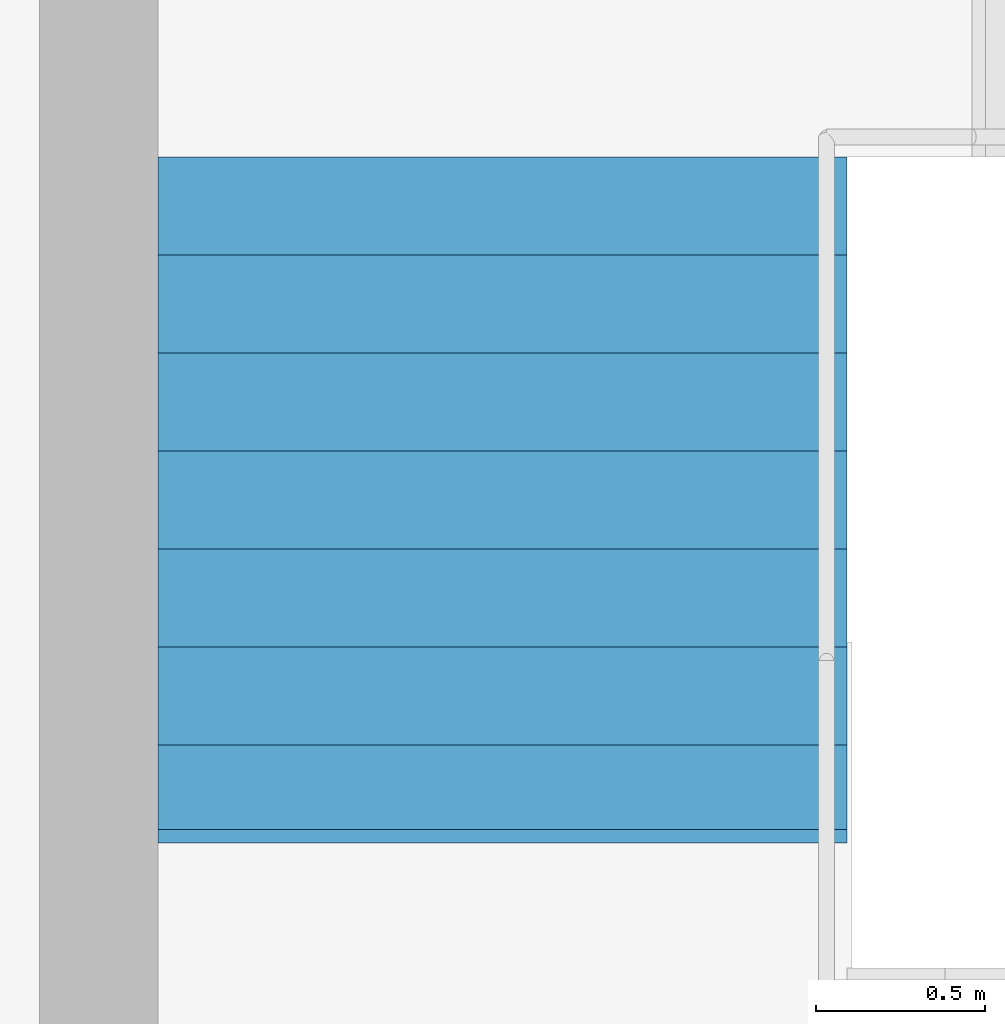
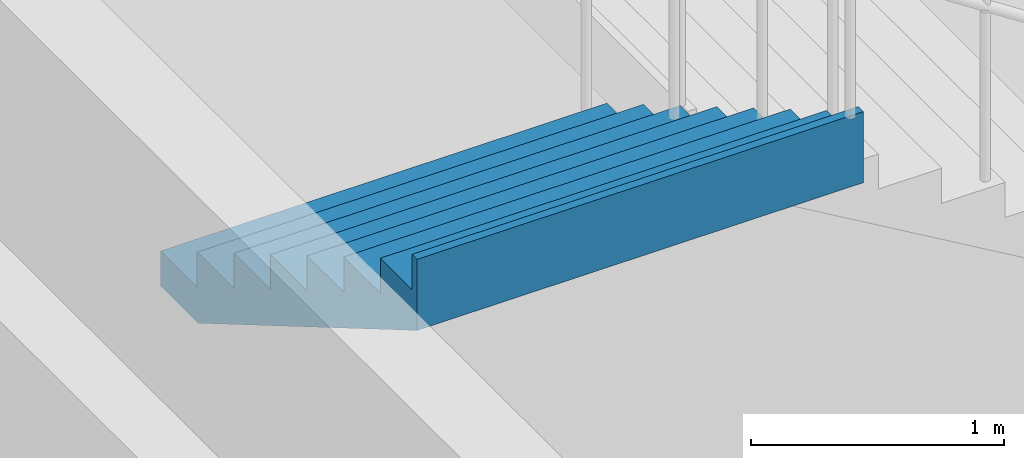
# One storey, part 26 of 50: 1 stair flight, 1 element without a shape of its own.
"""IFC4 building model written with IfcOpenShell, lengths in metres."""

from ifc_helpers import new_model, si_unit, direction, frame, origin, place, context, subcontext, project, spatial, triangles, material, type_object, element, aggregate, save


model = new_model("IFC4")

# Units and contexts
model_context = context("Model", 3, precision=1e-05, world=origin(), true_north=direction((0.0, 1.0)))
body_context = subcontext(model_context, "Body", "Model", "MODEL_VIEW")
ifc_project = project(units=[si_unit("LENGTHUNIT", "METRE"), si_unit("AREAUNIT", "SQUARE_METRE"), si_unit("VOLUMEUNIT", "CUBIC_METRE"), si_unit("PLANEANGLEUNIT", "RADIAN"), si_unit("MASSUNIT", "GRAM", prefix="KILO")], contexts=[model_context])

# Site, building, storey
site_placement = place(None, origin())
site = spatial("IfcSite", under=ifc_project, at=site_placement, CompositionType="ELEMENT")
building_placement = place(site_placement, origin())
building = spatial("IfcBuilding", under=site, at=building_placement, Name="Sillaruma Civic Art Gallery", CompositionType="ELEMENT")
storey_placement = place(building_placement, origin())
storey = spatial("IfcBuildingStorey", under=building, at=storey_placement, Name="L00", CompositionType="ELEMENT", Elevation=0.0)

# Stair, stair flight
ifc_material = material(Name="Concrete H35 (35 MPa)", Category="concrete")
stair_type = type_object("IfcStairType", Name="STR-4F-32", PredefinedType="USERDEFINED", material=ifc_material)
stair_placement = place(storey_placement, origin())
stair = element("IfcStair", 1, at=stair_placement, inside=storey, type_object=stair_type, Name="Protected Exit Stair ST-03 (West Bar South) (L00)", ObjectType="THREE_RETURN_STAIR", PredefinedType="USERDEFINED")
stair_flight_type = type_object("IfcStairFlightType", Name="SFL-STR-8", PredefinedType="STRAIGHT", material=ifc_material)
stair_flight_placement = place(storey_placement, frame((63.780029296875, 35.85009765625, 4.080078125), z_axis=(0.0, 0.0, 1.0), x_axis=(0.0, -1.0, 0.0)))
stair_flight = element("IfcStairFlight", 2, at=stair_flight_placement, type_object=stair_flight_type, Name="ST-03 flight 4", NumberOfRisers=8, NumberOfTreads=7, PredefinedType="STRAIGHT", RiserHeight=0.17, TreadLength=0.29, context=body_context, shape_type="Tessellation", body=[
    triangles([(0.0, -1.02001953125, 0.0), (0.29, -1.02001953125, 0.0), (0.296443, -1.02001953125, 0.0), (0.58, -1.02001953125, 0.166223), (0.87, -1.02001953125, 0.336223), (1.16, -1.02001953125, 0.506223), (1.45, -1.02001953125, 0.676223), (1.74, -1.02001953125, 0.846223), (1.990029, -1.02001953125, 0.992792), (2.030029, -1.02001953125, 1.01624), (2.030029, -1.02001953125, 1.36), (1.990029, -1.02001953125, 1.36), (1.990029, -1.02001953125, 1.19), (1.74, -1.02001953125, 1.19), (1.74, -1.02001953125, 1.02), (1.45, -1.02001953125, 1.02), (1.45, -1.02001953125, 0.85), (1.16, -1.02001953125, 0.85), (1.16, -1.02001953125, 0.68), (0.87, -1.02001953125, 0.68), (0.87, -1.02001953125, 0.51), (0.58, -1.02001953125, 0.51), (0.58, -1.02001953125, 0.34), (0.296443, -1.02001953125, 0.34), (0.29, -1.02001953125, 0.34), (0.29, -1.02001953125, 0.17), (0.0, -1.02001953125, 0.17), (0.0, -0.05, 0.0), (0.29, -0.05, 0.0), (0.296443, -0.05, 0.0), (0.58, -0.05, 0.166223), (0.87, -0.05, 0.336223), (1.16, -0.05, 0.506223), (1.45, -0.05, 0.676223), (1.74, -0.05, 0.846223), (1.990029, -0.05, 0.992792), (2.030029, -0.05, 1.01624), (2.030029, -0.05, 1.36), (1.990029, -0.05, 1.36), (1.990029, -0.05, 1.19), (1.74, -0.05, 1.19), (1.74, -0.05, 1.02), (1.45, -0.05, 1.02), (1.45, -0.05, 0.85), (1.16, -0.05, 0.85), (1.16, -0.05, 0.68), (0.87, -0.05, 0.68), (0.87, -0.05, 0.51), (0.58, -0.05, 0.51), (0.58, -0.05, 0.34), (0.296443, -0.05, 0.34), (0.29, -0.05, 0.34), (0.29, -0.05, 0.17), (0.0, -0.05, 0.17), (0.0, -0.0375, 0.0), (0.29, -0.0375, 0.0), (0.296443, -0.0375, 0.0), (0.58, -0.0375, 0.166223), (0.87, -0.0375, 0.336223), (1.16, -0.0375, 0.506223), (1.45, -0.0375, 0.676223), (1.74, -0.0375, 0.846223), (1.990029, -0.0375, 0.992792), (2.030029, -0.0375, 1.01624), (2.030029, -0.0375, 1.36), (1.990029, -0.0375, 1.36), (1.990029, -0.0375, 1.19), (1.74, -0.0375, 1.19), (1.74, -0.0375, 1.02), (1.45, -0.0375, 1.02), (1.45, -0.0375, 0.85), (1.16, -0.0375, 0.85), (1.16, -0.0375, 0.68), (0.87, -0.0375, 0.68), (0.87, -0.0375, 0.51), (0.58, -0.0375, 0.51), (0.58, -0.0375, 0.34), (0.296443, -0.0375, 0.34), (0.29, -0.0375, 0.34), (0.29, -0.0375, 0.17), (0.0, -0.0375, 0.17), (0.0, -0.025, 0.0), (0.29, -0.025, 0.0), (0.296443, -0.025, 0.0), (0.58, -0.025, 0.166223), (0.87, -0.025, 0.336223), (1.16, -0.025, 0.506223), (1.45, -0.025, 0.676223), (1.74, -0.025, 0.846223), (1.990029, -0.025, 0.992792), (2.030029, -0.025, 1.01624), (2.030029, -0.025, 1.36), (1.990029, -0.025, 1.36), (1.990029, -0.025, 1.19), (1.74, -0.025, 1.19), (1.74, -0.025, 1.02), (1.45, -0.025, 1.02), (1.45, -0.025, 0.85), (1.16, -0.025, 0.85), (1.16, -0.025, 0.68), (0.87, -0.025, 0.68), (0.87, -0.025, 0.51), (0.58, -0.025, 0.51), (0.58, -0.025, 0.34), (0.296443, -0.025, 0.34), (0.29, -0.025, 0.34), (0.29, -0.025, 0.17), (0.0, -0.025, 0.17), (0.0, -0.0125, 0.0), (0.29, -0.0125, 0.0), (0.296443, -0.0125, 0.0), (0.58, -0.0125, 0.166223), (0.87, -0.0125, 0.336223), (1.16, -0.0125, 0.506223), (1.45, -0.0125, 0.676223), (1.74, -0.0125, 0.846223), (1.990029, -0.0125, 0.992792), (2.030029, -0.0125, 1.01624), (2.030029, -0.0125, 1.36), (1.990029, -0.0125, 1.36), (1.990029, -0.0125, 1.19), (1.74, -0.0125, 1.19), (1.74, -0.0125, 1.02), (1.45, -0.0125, 1.02), (1.45, -0.0125, 0.85), (1.16, -0.0125, 0.85), (1.16, -0.0125, 0.68), (0.87, -0.0125, 0.68), (0.87, -0.0125, 0.51), (0.58, -0.0125, 0.51), (0.58, -0.0125, 0.34), (0.296443, -0.0125, 0.34), (0.29, -0.0125, 0.34), (0.29, -0.0125, 0.17), (0.0, -0.0125, 0.17), (0.0, 0.0, 0.0), (0.29, 0.0, 0.0), (0.296443, 0.0, 0.0), (0.58, 0.0, 0.166223), (0.87, 0.0, 0.336223), (1.16, 0.0, 0.506223), (1.45, 0.0, 0.676223), (1.74, 0.0, 0.846223), (1.990029, 0.0, 0.992792), (2.030029, 0.0, 1.01624), (2.030029, 0.0, 1.36), (1.990029, 0.0, 1.36), (1.990029, 0.0, 1.19), (1.74, 0.0, 1.19), (1.74, 0.0, 1.02), (1.45, 0.0, 1.02), (1.45, 0.0, 0.85), (1.16, 0.0, 0.85), (1.16, 0.0, 0.68), (0.87, 0.0, 0.68), (0.87, 0.0, 0.51), (0.58, 0.0, 0.51), (0.58, 0.0, 0.34), (0.296443, 0.0, 0.34), (0.29, 0.0, 0.34), (0.29, 0.0, 0.17), (0.0, 0.0, 0.17), (0.0, 0.0125, 0.0), (0.29, 0.0125, 0.0), (0.296443, 0.0125, 0.0), (0.58, 0.0125, 0.166223), (0.87, 0.0125, 0.336223), (1.16, 0.0125, 0.506223), (1.45, 0.0125, 0.676223), (1.74, 0.0125, 0.846223), (1.990029, 0.0125, 0.992792), (2.030029, 0.0125, 1.01624), (2.030029, 0.0125, 1.36), (1.990029, 0.0125, 1.36), (1.990029, 0.0125, 1.19), (1.74, 0.0125, 1.19), (1.74, 0.0125, 1.02), (1.45, 0.0125, 1.02), (1.45, 0.0125, 0.85), (1.16, 0.0125, 0.85), (1.16, 0.0125, 0.68), (0.87, 0.0125, 0.68), (0.87, 0.0125, 0.51), (0.58, 0.0125, 0.51), (0.58, 0.0125, 0.34), (0.296443, 0.0125, 0.34), (0.29, 0.0125, 0.34), (0.29, 0.0125, 0.17), (0.0, 0.0125, 0.17), (0.0, 0.025, 0.0), (0.29, 0.025, 0.0), (0.296443, 0.025, 0.0), (0.58, 0.025, 0.166223), (0.87, 0.025, 0.336223), (1.16, 0.025, 0.506223), (1.45, 0.025, 0.676223), (1.74, 0.025, 0.846223), (1.990029, 0.025, 0.992792), (2.030029, 0.025, 1.01624), (2.030029, 0.025, 1.36), (1.990029, 0.025, 1.36), (1.990029, 0.025, 1.19), (1.74, 0.025, 1.19), (1.74, 0.025, 1.02), (1.45, 0.025, 1.02), (1.45, 0.025, 0.85), (1.16, 0.025, 0.85), (1.16, 0.025, 0.68), (0.87, 0.025, 0.68), (0.87, 0.025, 0.51), (0.58, 0.025, 0.51), (0.58, 0.025, 0.34), (0.296443, 0.025, 0.34), (0.29, 0.025, 0.34), (0.29, 0.025, 0.17), (0.0, 0.025, 0.17), (0.0, 0.0375, 0.0), (0.29, 0.0375, 0.0), (0.296443, 0.0375, 0.0), (0.58, 0.0375, 0.166223), (0.87, 0.0375, 0.336223), (1.16, 0.0375, 0.506223), (1.45, 0.0375, 0.676223), (1.74, 0.0375, 0.846223), (1.990029, 0.0375, 0.992792), (2.030029, 0.0375, 1.01624), (2.030029, 0.0375, 1.36), (1.990029, 0.0375, 1.36), (1.990029, 0.0375, 1.19), (1.74, 0.0375, 1.19), (1.74, 0.0375, 1.02), (1.45, 0.0375, 1.02), (1.45, 0.0375, 0.85), (1.16, 0.0375, 0.85), (1.16, 0.0375, 0.68), (0.87, 0.0375, 0.68), (0.87, 0.0375, 0.51), (0.58, 0.0375, 0.51), (0.58, 0.0375, 0.34), (0.296443, 0.0375, 0.34), (0.29, 0.0375, 0.34), (0.29, 0.0375, 0.17), (0.0, 0.0375, 0.17), (0.0, 0.05, 0.0), (0.29, 0.05, 0.0), (0.296443, 0.05, 0.0), (0.58, 0.05, 0.166223), (0.87, 0.05, 0.336223), (1.16, 0.05, 0.506223), (1.45, 0.05, 0.676223), (1.74, 0.05, 0.846223), (1.990029, 0.05, 0.992792), (2.030029, 0.05, 1.01624), (2.030029, 0.05, 1.36), (1.990029, 0.05, 1.36), (1.990029, 0.05, 1.19), (1.74, 0.05, 1.19), (1.74, 0.05, 1.02), (1.45, 0.05, 1.02), (1.45, 0.05, 0.85), (1.16, 0.05, 0.85), (1.16, 0.05, 0.68), (0.87, 0.05, 0.68), (0.87, 0.05, 0.51), (0.58, 0.05, 0.51), (0.58, 0.05, 0.34), (0.296443, 0.05, 0.34), (0.29, 0.05, 0.34), (0.29, 0.05, 0.17), (0.0, 0.05, 0.17), (0.0, 1.02001953125, 0.0), (0.29, 1.02001953125, 0.0), (0.296443, 1.02001953125, 0.0), (0.58, 1.02001953125, 0.166223), (0.87, 1.02001953125, 0.336223), (1.16, 1.02001953125, 0.506223), (1.45, 1.02001953125, 0.676223), (1.74, 1.02001953125, 0.846223), (1.990029, 1.02001953125, 0.992792), (2.030029, 1.02001953125, 1.01624), (2.030029, 1.02001953125, 1.36), (1.990029, 1.02001953125, 1.36), (1.990029, 1.02001953125, 1.19), (1.74, 1.02001953125, 1.19), (1.74, 1.02001953125, 1.02), (1.45, 1.02001953125, 1.02), (1.45, 1.02001953125, 0.85), (1.16, 1.02001953125, 0.85), (1.16, 1.02001953125, 0.68), (0.87, 1.02001953125, 0.68), (0.87, 1.02001953125, 0.51), (0.58, 1.02001953125, 0.51), (0.58, 1.02001953125, 0.34), (0.296443, 1.02001953125, 0.34), (0.29, 1.02001953125, 0.34), (0.29, 1.02001953125, 0.17), (0.0, 1.02001953125, 0.17)], [[1, 2, 26], [1, 26, 27], [2, 3, 24], [2, 24, 26], [26, 24, 25], [3, 4, 23], [3, 23, 24], [4, 5, 21], [4, 21, 23], [23, 21, 22], [5, 6, 19], [5, 19, 21], [21, 19, 20], [6, 7, 17], [6, 17, 19], [19, 17, 18], [7, 8, 15], [7, 15, 17], [17, 15, 16], [8, 9, 13], [8, 13, 15], [15, 13, 14], [9, 10, 11], [9, 11, 13], [13, 11, 12], [296, 272, 271], [297, 296, 271], [294, 273, 272], [296, 294, 272], [295, 294, 296], [293, 274, 273], [294, 293, 273], [291, 275, 274], [293, 291, 274], [292, 291, 293], [289, 276, 275], [291, 289, 275], [290, 289, 291], [287, 277, 276], [289, 287, 276], [288, 287, 289], [285, 278, 277], [287, 285, 277], [286, 285, 287], [283, 279, 278], [285, 283, 278], [284, 283, 285], [281, 280, 279], [283, 281, 279], [282, 281, 283], [2, 1, 28], [2, 28, 29], [3, 2, 29], [3, 29, 30], [4, 3, 30], [4, 30, 31], [5, 4, 31], [5, 31, 32], [6, 5, 32], [6, 32, 33], [7, 6, 33], [7, 33, 34], [8, 7, 34], [8, 34, 35], [9, 8, 35], [9, 35, 36], [10, 9, 36], [10, 36, 37], [11, 10, 37], [11, 37, 38], [12, 11, 38], [12, 38, 39], [13, 12, 39], [13, 39, 40], [14, 13, 40], [14, 40, 41], [15, 14, 41], [15, 41, 42], [16, 15, 42], [16, 42, 43], [17, 16, 43], [17, 43, 44], [18, 17, 44], [18, 44, 45], [19, 18, 45], [19, 45, 46], [20, 19, 46], [20, 46, 47], [21, 20, 47], [21, 47, 48], [22, 21, 48], [22, 48, 49], [23, 22, 49], [23, 49, 50], [24, 23, 50], [24, 50, 51], [25, 24, 51], [25, 51, 52], [26, 25, 52], [26, 52, 53], [27, 26, 53], [27, 53, 54], [1, 27, 54], [1, 54, 28], [29, 28, 55], [29, 55, 56], [30, 29, 56], [30, 56, 57], [31, 30, 57], [31, 57, 58], [32, 31, 58], [32, 58, 59], [33, 32, 59], [33, 59, 60], [34, 33, 60], [34, 60, 61], [35, 34, 61], [35, 61, 62], [36, 35, 62], [36, 62, 63], [37, 36, 63], [37, 63, 64], [38, 37, 64], [38, 64, 65], [39, 38, 65], [39, 65, 66], [40, 39, 66], [40, 66, 67], [41, 40, 67], [41, 67, 68], [42, 41, 68], [42, 68, 69], [43, 42, 69], [43, 69, 70], [44, 43, 70], [44, 70, 71], [45, 44, 71], [45, 71, 72], [46, 45, 72], [46, 72, 73], [47, 46, 73], [47, 73, 74], [48, 47, 74], [48, 74, 75], [49, 48, 75], [49, 75, 76], [50, 49, 76], [50, 76, 77], [51, 50, 77], [51, 77, 78], [52, 51, 78], [52, 78, 79], [53, 52, 79], [53, 79, 80], [54, 53, 80], [54, 80, 81], [28, 54, 81], [28, 81, 55], [56, 55, 82], [56, 82, 83], [57, 56, 83], [57, 83, 84], [58, 57, 84], [58, 84, 85], [59, 58, 85], [59, 85, 86], [60, 59, 86], [60, 86, 87], [61, 60, 87], [61, 87, 88], [62, 61, 88], [62, 88, 89], [63, 62, 89], [63, 89, 90], [64, 63, 90], [64, 90, 91], [65, 64, 91], [65, 91, 92], [66, 65, 92], [66, 92, 93], [67, 66, 93], [67, 93, 94], [68, 67, 94], [68, 94, 95], [69, 68, 95], [69, 95, 96], [70, 69, 96], [70, 96, 97], [71, 70, 97], [71, 97, 98], [72, 71, 98], [72, 98, 99], [73, 72, 99], [73, 99, 100], [74, 73, 100], [74, 100, 101], [75, 74, 101], [75, 101, 102], [76, 75, 102], [76, 102, 103], [77, 76, 103], [77, 103, 104], [78, 77, 104], [78, 104, 105], [79, 78, 105], [79, 105, 106], [80, 79, 106], [80, 106, 107], [81, 80, 107], [81, 107, 108], [55, 81, 108], [55, 108, 82], [83, 82, 109], [83, 109, 110], [84, 83, 110], [84, 110, 111], [85, 84, 111], [85, 111, 112], [86, 85, 112], [86, 112, 113], [87, 86, 113], [87, 113, 114], [88, 87, 114], [88, 114, 115], [89, 88, 115], [89, 115, 116], [90, 89, 116], [90, 116, 117], [91, 90, 117], [91, 117, 118], [92, 91, 118], [92, 118, 119], [93, 92, 119], [93, 119, 120], [94, 93, 120], [94, 120, 121], [95, 94, 121], [95, 121, 122], [96, 95, 122], [96, 122, 123], [97, 96, 123], [97, 123, 124], [98, 97, 124], [98, 124, 125], [99, 98, 125], [99, 125, 126], [100, 99, 126], [100, 126, 127], [101, 100, 127], [101, 127, 128], [102, 101, 128], [102, 128, 129], [103, 102, 129], [103, 129, 130], [104, 103, 130], [104, 130, 131], [105, 104, 131], [105, 131, 132], [106, 105, 132], [106, 132, 133], [107, 106, 133], [107, 133, 134], [108, 107, 134], [108, 134, 135], [82, 108, 135], [82, 135, 109], [110, 109, 136], [110, 136, 137], [111, 110, 137], [111, 137, 138], [112, 111, 138], [112, 138, 139], [113, 112, 139], [113, 139, 140], [114, 113, 140], [114, 140, 141], [115, 114, 141], [115, 141, 142], [116, 115, 142], [116, 142, 143], [117, 116, 143], [117, 143, 144], [118, 117, 144], [118, 144, 145], [119, 118, 145], [119, 145, 146], [120, 119, 146], [120, 146, 147], [121, 120, 147], [121, 147, 148], [122, 121, 148], [122, 148, 149], [123, 122, 149], [123, 149, 150], [124, 123, 150], [124, 150, 151], [125, 124, 151], [125, 151, 152], [126, 125, 152], [126, 152, 153], [127, 126, 153], [127, 153, 154], [128, 127, 154], [128, 154, 155], [129, 128, 155], [129, 155, 156], [130, 129, 156], [130, 156, 157], [131, 130, 157], [131, 157, 158], [132, 131, 158], [132, 158, 159], [133, 132, 159], [133, 159, 160], [134, 133, 160], [134, 160, 161], [135, 134, 161], [135, 161, 162], [109, 135, 162], [109, 162, 136], [137, 136, 163], [137, 163, 164], [138, 137, 164], [138, 164, 165], [139, 138, 165], [139, 165, 166], [140, 139, 166], [140, 166, 167], [141, 140, 167], [141, 167, 168], [142, 141, 168], [142, 168, 169], [143, 142, 169], [143, 169, 170], [144, 143, 170], [144, 170, 171], [145, 144, 171], [145, 171, 172], [146, 145, 172], [146, 172, 173], [147, 146, 173], [147, 173, 174], [148, 147, 174], [148, 174, 175], [149, 148, 175], [149, 175, 176], [150, 149, 176], [150, 176, 177], [151, 150, 177], [151, 177, 178], [152, 151, 178], [152, 178, 179], [153, 152, 179], [153, 179, 180], [154, 153, 180], [154, 180, 181], [155, 154, 181], [155, 181, 182], [156, 155, 182], [156, 182, 183], [157, 156, 183], [157, 183, 184], [158, 157, 184], [158, 184, 185], [159, 158, 185], [159, 185, 186], [160, 159, 186], [160, 186, 187], [161, 160, 187], [161, 187, 188], [162, 161, 188], [162, 188, 189], [136, 162, 189], [136, 189, 163], [164, 163, 190], [164, 190, 191], [165, 164, 191], [165, 191, 192], [166, 165, 192], [166, 192, 193], [167, 166, 193], [167, 193, 194], [168, 167, 194], [168, 194, 195], [169, 168, 195], [169, 195, 196], [170, 169, 196], [170, 196, 197], [171, 170, 197], [171, 197, 198], [172, 171, 198], [172, 198, 199], [173, 172, 199], [173, 199, 200], [174, 173, 200], [174, 200, 201], [175, 174, 201], [175, 201, 202], [176, 175, 202], [176, 202, 203], [177, 176, 203], [177, 203, 204], [178, 177, 204], [178, 204, 205], [179, 178, 205], [179, 205, 206], [180, 179, 206], [180, 206, 207], [181, 180, 207], [181, 207, 208], [182, 181, 208], [182, 208, 209], [183, 182, 209], [183, 209, 210], [184, 183, 210], [184, 210, 211], [185, 184, 211], [185, 211, 212], [186, 185, 212], [186, 212, 213], [187, 186, 213], [187, 213, 214], [188, 187, 214], [188, 214, 215], [189, 188, 215], [189, 215, 216], [163, 189, 216], [163, 216, 190], [191, 190, 217], [191, 217, 218], [192, 191, 218], [192, 218, 219], [193, 192, 219], [193, 219, 220], [194, 193, 220], [194, 220, 221], [195, 194, 221], [195, 221, 222], [196, 195, 222], [196, 222, 223], [197, 196, 223], [197, 223, 224], [198, 197, 224], [198, 224, 225], [199, 198, 225], [199, 225, 226], [200, 199, 226], [200, 226, 227], [201, 200, 227], [201, 227, 228], [202, 201, 228], [202, 228, 229], [203, 202, 229], [203, 229, 230], [204, 203, 230], [204, 230, 231], [205, 204, 231], [205, 231, 232], [206, 205, 232], [206, 232, 233], [207, 206, 233], [207, 233, 234], [208, 207, 234], [208, 234, 235], [209, 208, 235], [209, 235, 236], [210, 209, 236], [210, 236, 237], [211, 210, 237], [211, 237, 238], [212, 211, 238], [212, 238, 239], [213, 212, 239], [213, 239, 240], [214, 213, 240], [214, 240, 241], [215, 214, 241], [215, 241, 242], [216, 215, 242], [216, 242, 243], [190, 216, 243], [190, 243, 217], [218, 217, 244], [218, 244, 245], [219, 218, 245], [219, 245, 246], [220, 219, 246], [220, 246, 247], [221, 220, 247], [221, 247, 248], [222, 221, 248], [222, 248, 249], [223, 222, 249], [223, 249, 250], [224, 223, 250], [224, 250, 251], [225, 224, 251], [225, 251, 252], [226, 225, 252], [226, 252, 253], [227, 226, 253], [227, 253, 254], [228, 227, 254], [228, 254, 255], [229, 228, 255], [229, 255, 256], [230, 229, 256], [230, 256, 257], [231, 230, 257], [231, 257, 258], [232, 231, 258], [232, 258, 259], [233, 232, 259], [233, 259, 260], [234, 233, 260], [234, 260, 261], [235, 234, 261], [235, 261, 262], [236, 235, 262], [236, 262, 263], [237, 236, 263], [237, 263, 264], [238, 237, 264], [238, 264, 265], [239, 238, 265], [239, 265, 266], [240, 239, 266], [240, 266, 267], [241, 240, 267], [241, 267, 268], [242, 241, 268], [242, 268, 269], [243, 242, 269], [243, 269, 270], [217, 243, 270], [217, 270, 244], [245, 244, 271], [245, 271, 272], [246, 245, 272], [246, 272, 273], [247, 246, 273], [247, 273, 274], [248, 247, 274], [248, 274, 275], [249, 248, 275], [249, 275, 276], [250, 249, 276], [250, 276, 277], [251, 250, 277], [251, 277, 278], [252, 251, 278], [252, 278, 279], [253, 252, 279], [253, 279, 280], [254, 253, 280], [254, 280, 281], [255, 254, 281], [255, 281, 282], [256, 255, 282], [256, 282, 283], [257, 256, 283], [257, 283, 284], [258, 257, 284], [258, 284, 285], [259, 258, 285], [259, 285, 286], [260, 259, 286], [260, 286, 287], [261, 260, 287], [261, 287, 288], [262, 261, 288], [262, 288, 289], [263, 262, 289], [263, 289, 290], [264, 263, 290], [264, 290, 291], [265, 264, 291], [265, 291, 292], [266, 265, 292], [266, 292, 293], [267, 266, 293], [267, 293, 294], [268, 267, 294], [268, 294, 295], [269, 268, 295], [269, 295, 296], [270, 269, 296], [270, 296, 297], [244, 270, 297], [244, 297, 271]], closed=True),
])
aggregate(stair, [stair_flight])

save(model, "model.ifc")
